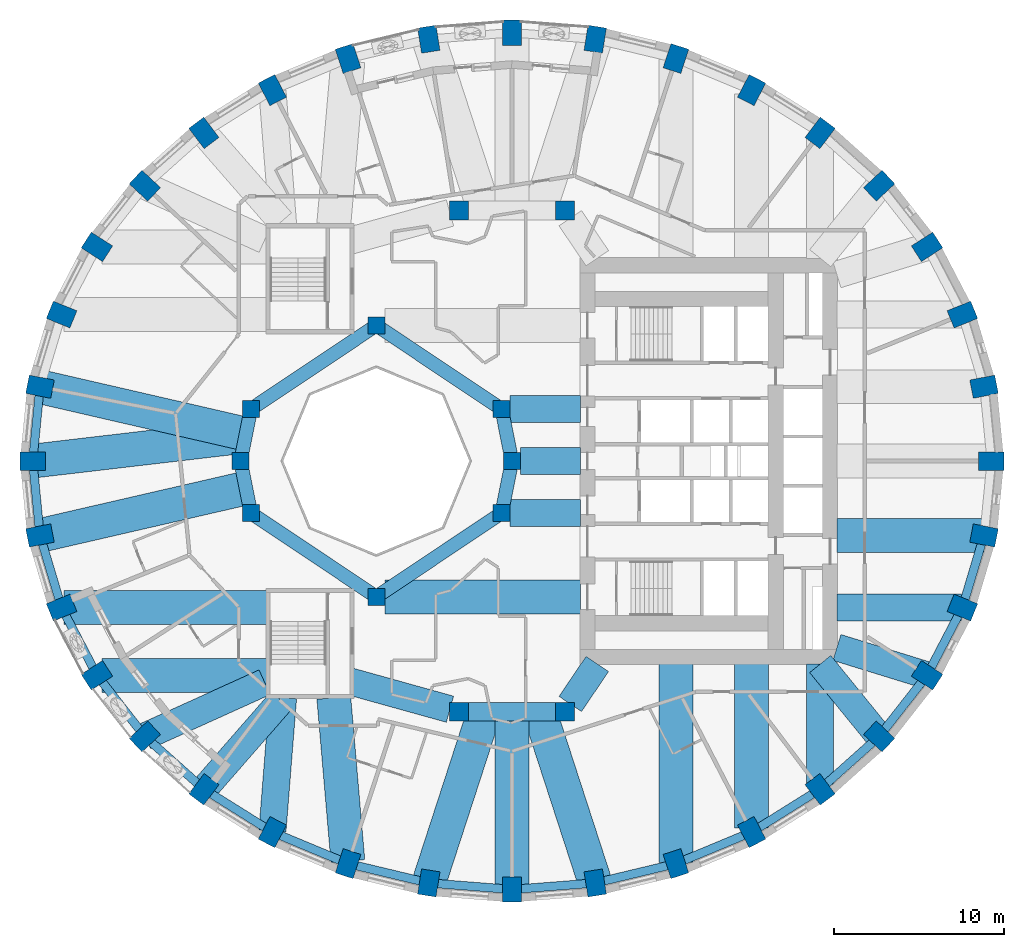
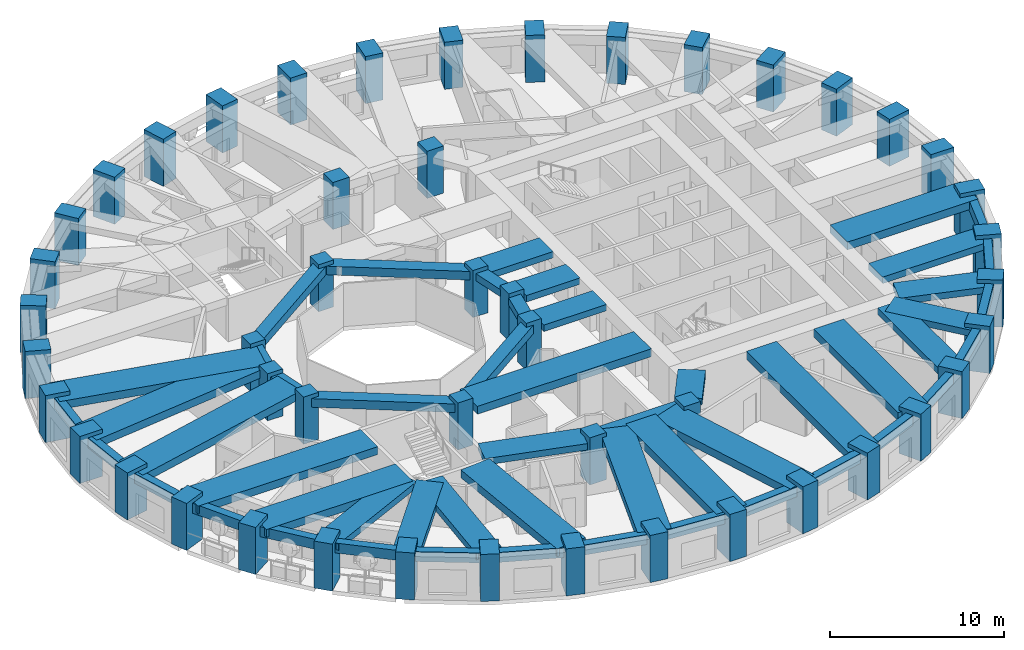
# One storey, part 1 of 13: 52 beams, 48 columns.
"""IFC4 building model written with IfcOpenShell, lengths in metres."""

from ifc_helpers import new_model, si_unit, direction, frame, origin, origin_2d, place, context, subcontext, project, spatial, rectangle, extrude, material, material_profile, profile_set, type_object, element, save


model = new_model("IFC4")

# Units and contexts
model_context = context("Model", 3, precision=1e-05, world=origin(), true_north=direction((0.0, 1.0)))
body_context = subcontext(model_context, "Body", "Model", "MODEL_VIEW")
ifc_project = project(units=[si_unit("LENGTHUNIT", "METRE"), si_unit("AREAUNIT", "SQUARE_METRE"), si_unit("VOLUMEUNIT", "CUBIC_METRE"), si_unit("PLANEANGLEUNIT", "RADIAN"), si_unit("MASSUNIT", "GRAM", prefix="KILO")], contexts=[model_context])

# Site, building, storey
site_placement = place(None, origin())
site = spatial("IfcSite", under=ifc_project, at=site_placement, CompositionType="ELEMENT")
building_placement = place(site_placement, origin())
building = spatial("IfcBuilding", under=site, at=building_placement, Name="Taillehof Tower", CompositionType="ELEMENT")
storey_placement = place(building_placement, frame((0.0, 0.0, 58.0)))
storey = spatial("IfcBuildingStorey", under=building, at=storey_placement, Name="L15", CompositionType="ELEMENT", Elevation=58.0)

# Columns
ifc_material_1 = material(Name="Concrete C50/60", Category="concrete")
ifc_material_profile_1 = material_profile(ifc_material_1, rectangle(XDim=1.0, YDim=1.0, at=origin_2d()), Name="RC 1000x1000")
ifc_profile_set_1 = profile_set([ifc_material_profile_1], Name="Concrete C50/60")
column_type_1 = type_object("IfcColumnType", Name="Atrium ring column C50/60 1000x1000", PredefinedType="COLUMN", material=ifc_profile_set_1)
for number, where, z_axis, x_axis, name in (
    (1, (0.0, 0.0, 0.0), (0.0, 0.0, 1.0), (1.0, 0.0, 0.0), "Column AC01"),
    (2, (-0.60888671875, 3.0615234375, 0.0), (0.0, 0.0, 1.0), (1.0, 0.0, 0.0), "Column AC02"),
    (3, (-8.0, 8.0, 0.0), (0.0, 0.0, 1.0), (1.0, 0.0, 0.0), "Column AC05"),
    (4, (-15.39111328125, 3.0615234375, 0.0), (0.0, 0.0, 1.0), (1.0, 0.0, 0.0), "Column AC08"),
    (5, (-16.0, 0.0, 0.0), (0.0, 0.0, 1.0), (1.0, 0.0, 0.0), "Column AC09"),
    (6, (-15.39111328125, -3.0615234375, 0.0), (0.0, 0.0, 1.0), (1.0, 0.0, 0.0), "Column AC10"),
    (7, (-8.0, -8.0, 0.0), (0.0, 0.0, 1.0), (1.0, 0.0, 0.0), "Column AC13"),
    (8, (-0.60888671875, -3.0615234375, 0.0), (0.0, 0.0, 1.0), (1.0, 0.0, 0.0), "Column AC16"),
):
    element("IfcColumn", number, at=place(storey_placement, frame(where, z_axis=z_axis, x_axis=x_axis)), inside=storey, type_object=column_type_1, Name=name, PredefinedType="COLUMN", context=body_context, shape_type="SweptSolid", body=[
        extrude(rectangle(XDim=1.0, YDim=1.0, at=origin_2d()), origin(), (0.0, 0.0, 1.0), 3.300048828125),
    ])
ifc_material_2 = material(Name="Concrete C50/60", Category="concrete")
ifc_material_profile_2 = material_profile(ifc_material_2, rectangle(XDim=1.10009765625, YDim=1.10009765625, at=origin_2d()), Name="RC 1100x1100")
ifc_profile_set_2 = profile_set([ifc_material_profile_2], Name="Concrete C50/60")
column_type_2 = type_object("IfcColumnType", Name="Mid-ring column C50/60 1100x1100", PredefinedType="COLUMN", material=ifc_profile_set_2)
column_1_placement = place(storey_placement, frame((3.125732421875, -14.772216796875, 0.0), z_axis=(0.0, 0.0, 1.0), x_axis=(1.0, 0.0, 0.0)))
element("IfcColumn", 9, at=column_1_placement, inside=storey, type_object=column_type_2, Name="Column MC15", PredefinedType="COLUMN", context=body_context, shape_type="SweptSolid", body=[
    extrude(rectangle(XDim=1.10009765625, YDim=1.10009765625, at=origin_2d()), origin(), (0.0, 0.0, 1.0), 3.300048828125),
])
ifc_material_3 = material(Name="Concrete C60/75", Category="concrete")
ifc_material_profile_3 = material_profile(ifc_material_3, rectangle(XDim=1.10009765625, YDim=1.10009765625, at=origin_2d()), Name="RC 1100x1100")
ifc_profile_set_3 = profile_set([ifc_material_profile_3], Name="Concrete C60/75")
column_type_3 = type_object("IfcColumnType", Name="Mid-ring column C60/75 1100x1100", PredefinedType="COLUMN", material=ifc_profile_set_3)
column_2_placement = place(storey_placement, frame((3.125732421875, 14.772216796875, 0.0), z_axis=(0.0, 0.0, 1.0), x_axis=(1.0, 0.0, 0.0)))
element("IfcColumn", 10, at=column_2_placement, inside=storey, type_object=column_type_3, Name="Column MC05", PredefinedType="COLUMN", context=body_context, shape_type="SweptSolid", body=[
    extrude(rectangle(XDim=1.10009765625, YDim=1.10009765625, at=origin_2d()), origin(), (0.0, 0.0, 1.0), 3.300048828125),
])
ifc_material_4 = material(Name="Concrete C70/85", Category="concrete")
ifc_material_profile_4 = material_profile(ifc_material_4, rectangle(XDim=1.10009765625, YDim=1.10009765625, at=origin_2d()), Name="RC 1100x1100")
ifc_profile_set_4 = profile_set([ifc_material_profile_4], Name="Concrete C70/85")
column_type_4 = type_object("IfcColumnType", Name="Mid-ring column C70/85 1100x1100", PredefinedType="COLUMN", material=ifc_profile_set_4)
for number, where, z_axis, x_axis, name in (
    (11, (-3.125732421875, 14.772216796875, 0.0), (0.0, 0.0, 1.0), (1.0, 0.0, 0.0), "Column MC06"),
    (12, (-3.125732421875, -14.772216796875, 0.0), (0.0, 0.0, 1.0), (1.0, 0.0, 0.0), "Column MC14"),
):
    element("IfcColumn", number, at=place(storey_placement, frame(where, z_axis=z_axis, x_axis=x_axis)), inside=storey, type_object=column_type_4, Name=name, PredefinedType="COLUMN", context=body_context, shape_type="SweptSolid", body=[
        extrude(rectangle(XDim=1.10009765625, YDim=1.10009765625, at=origin_2d()), origin(), (0.0, 0.0, 1.0), 3.300048828125),
    ])
ifc_material_5 = material(Name="Concrete C70/85", Category="concrete")
ifc_material_profile_5 = material_profile(ifc_material_5, rectangle(XDim=1.5, YDim=1.10009765625, at=origin_2d()), Name="RC 1500x1100")
ifc_profile_set_5 = profile_set([ifc_material_profile_5], Name="Concrete C70/85")
column_type_5 = type_object("IfcColumnType", Name="Ring column C70/85 1500x1100", PredefinedType="COLUMN", material=ifc_profile_set_5)
for number, where, z_axis, x_axis, name in (
    (13, (28.25, 0.0, 0.0), (0.0, 0.0, 1.0), (1.0, 0.0, 0.0), "Ring column RC01"),
    (14, (27.82080078125, 4.384521484375, 0.0), (0.0, 0.0, 1.0), (0.98120354895, 0.192975634545, 0.0), "Ring column RC02"),
    (15, (26.54638671875, 8.635986328125, 0.0), (0.0, 0.0, 1.0), (0.926558045297, 0.37615181602, 0.0), "Ring column RC03"),
    (16, (24.46533203125, 12.625, 0.0), (0.0, 0.0, 1.0), (0.840753565229, 0.541417992456, 0.0), "Ring column RC04"),
    (17, (21.640869140625, 16.23046875, 0.0), (0.0, 0.0, 1.0), (0.730113022917, 0.683326403535, 0.0), "Ring column RC05"),
    (18, (18.15869140625, 19.342529296875, 0.0), (0.0, 0.0, 1.0), (0.601173783055, 0.79911831575, 0.0), "Ring column RC06"),
    (19, (14.125, 21.8671875, 0.0), (0.0, 0.0, 1.0), (0.459691308511, 0.888078769524, 0.0), "Ring column RC07"),
    (20, (9.662109375, 23.727294921875, 0.0), (0.0, 0.0, 1.0), (0.310219183529, 0.950665060981, 0.0), "Ring column RC08"),
    (21, (4.905517578125, 24.866455078125, 0.0), (0.0, 0.0, 1.0), (0.15614709407, 0.987733812833, 0.0), "Ring column RC09"),
    (22, (0.0, 25.25, 0.0), (0.0, 0.0, 1.0), (0.0, 1.0, 0.0), "Ring column RC10"),
    (23, (-4.905517578125, 24.866455078125, 0.0), (0.0, 0.0, 1.0), (-0.15614709407, 0.987733812833, 0.0), "Ring column RC11"),
    (24, (-9.662109375, 23.727294921875, 0.0), (0.0, 0.0, 1.0), (-0.310219183529, 0.950665060981, 0.0), "Ring column RC12"),
    (25, (-14.125, 21.8671875, 0.0), (0.0, 0.0, 1.0), (-0.459691308511, 0.888078769524, 0.0), "Ring column RC13"),
    (26, (-18.15869140625, 19.342529296875, 0.0), (0.0, 0.0, 1.0), (-0.601173783055, 0.79911831575, 0.0), "Ring column RC14"),
    (27, (-21.640869140625, 16.23046875, 0.0), (0.0, 0.0, 1.0), (-0.730113022917, 0.683326403535, 0.0), "Ring column RC15"),
    (28, (-24.46533203125, 12.625, 0.0), (0.0, 0.0, 1.0), (-0.840753565229, 0.541417992456, 0.0), "Ring column RC16"),
    (29, (-26.54638671875, 8.635986328125, 0.0), (0.0, 0.0, 1.0), (-0.926558045297, 0.37615181602, 0.0), "Ring column RC17"),
    (30, (-27.82080078125, 4.384521484375, 0.0), (0.0, 0.0, 1.0), (-0.98120354895, 0.192975634545, 0.0), "Ring column RC18"),
    (31, (-28.25, 0.0, 0.0), (0.0, 0.0, 1.0), (-1.0, 0.0, 0.0), "Ring column RC19"),
    (32, (-27.82080078125, -4.384521484375, 0.0), (0.0, 0.0, 1.0), (-0.98120354895, -0.192975634545, 0.0), "Ring column RC20"),
    (33, (-26.54638671875, -8.635986328125, 0.0), (0.0, 0.0, 1.0), (-0.926558045297, -0.37615181602, 0.0), "Ring column RC21"),
    (34, (-24.46533203125, -12.625, 0.0), (0.0, 0.0, 1.0), (-0.840753565229, -0.541417992456, 0.0), "Ring column RC22"),
    (35, (-21.640869140625, -16.23046875, 0.0), (0.0, 0.0, 1.0), (-0.730113022917, -0.683326403535, 0.0), "Ring column RC23"),
    (36, (-18.15869140625, -19.342529296875, 0.0), (0.0, 0.0, 1.0), (-0.601173783055, -0.79911831575, 0.0), "Ring column RC24"),
    (37, (-14.125, -21.8671875, 0.0), (0.0, 0.0, 1.0), (-0.459691308511, -0.888078769524, 0.0), "Ring column RC25"),
    (38, (-9.662109375, -23.727294921875, 0.0), (0.0, 0.0, 1.0), (-0.310219183529, -0.950665060981, 0.0), "Ring column RC26"),
    (39, (-4.905517578125, -24.866455078125, 0.0), (0.0, 0.0, 1.0), (-0.15614709407, -0.987733812833, 0.0), "Ring column RC27"),
    (40, (0.0, -25.25, 0.0), (0.0, 0.0, 1.0), (0.0, -1.0, 0.0), "Ring column RC28"),
    (41, (4.905517578125, -24.866455078125, 0.0), (0.0, 0.0, 1.0), (0.15614709407, -0.987733812833, 0.0), "Ring column RC29"),
    (42, (9.662109375, -23.727294921875, 0.0), (0.0, 0.0, 1.0), (0.310219183529, -0.950665060981, 0.0), "Ring column RC30"),
    (43, (14.125, -21.8671875, 0.0), (0.0, 0.0, 1.0), (0.459691308511, -0.888078769524, 0.0), "Ring column RC31"),
    (44, (18.15869140625, -19.342529296875, 0.0), (0.0, 0.0, 1.0), (0.601173783055, -0.79911831575, 0.0), "Ring column RC32"),
    (45, (21.640869140625, -16.23046875, 0.0), (0.0, 0.0, 1.0), (0.730113022917, -0.683326403535, 0.0), "Ring column RC33"),
    (46, (24.46533203125, -12.625, 0.0), (0.0, 0.0, 1.0), (0.840753565229, -0.541417992456, 0.0), "Ring column RC34"),
    (47, (26.54638671875, -8.635986328125, 0.0), (0.0, 0.0, 1.0), (0.926558045297, -0.37615181602, 0.0), "Ring column RC35"),
    (48, (27.82080078125, -4.384521484375, 0.0), (0.0, 0.0, 1.0), (0.98120354895, -0.192975634545, 0.0), "Ring column RC36"),
):
    element("IfcColumn", number, at=place(storey_placement, frame(where, z_axis=z_axis, x_axis=x_axis)), inside=storey, type_object=column_type_5, Name=name, PredefinedType="COLUMN", context=body_context, shape_type="SweptSolid", body=[
        extrude(rectangle(XDim=1.5, YDim=1.10009765625, at=origin_2d()), origin(), (0.0, 0.0, 1.0), 3.300048828125),
    ])

# Beams
ifc_material_6 = material(Name="Concrete C50/60", Category="concrete")
ifc_material_profile_6 = material_profile(ifc_material_6, rectangle(XDim=0.800048828125, YDim=0.5, at=origin_2d()), Name="RC 800x500")
ifc_profile_set_6 = profile_set([ifc_material_profile_6], Name="Concrete C50/60")
beam_type_1 = type_object("IfcBeamType", Name="Atrium ring beam C50/60 800x500", PredefinedType="BEAM", material=ifc_profile_set_6)
for number, where, z_axis, x_axis, name in (
    (49, (0.0, 0.0, 2.77001953125), (-0.195063155143, 0.980790683839, 0.0), (-0.980790683839, -0.195063155143, 0.0), "Atrium ring beam AB01"),
    (50, (-15.39111328125, 3.0615234375, 2.77001953125), (-0.195063155143, -0.980790683839, 0.0), (0.980790683839, -0.195063155143, 0.0), "Atrium ring beam AB04"),
    (51, (-16.0, 0.0, 2.77001953125), (0.195063155143, -0.980790683839, 0.0), (0.980790683839, 0.195063155143, 0.0), "Atrium ring beam AB05"),
    (52, (-0.60888671875, -3.0615234375, 2.77001953125), (0.195063155143, 0.980790683839, 0.0), (-0.980790683839, 0.195063155143, 0.0), "Atrium ring beam AB08"),
):
    element("IfcBeam", number, at=place(storey_placement, frame(where, z_axis=z_axis, x_axis=x_axis)), inside=storey, type_object=beam_type_1, Name=name, PredefinedType="BEAM", context=body_context, shape_type="SweptSolid", body=[
        extrude(rectangle(XDim=0.800048828125, YDim=0.5, at=origin_2d()), origin(), (0.0, 0.0, 1.0), 3.12158203125),
    ])
ifc_material_7 = material(Name="Concrete C50/60", Category="concrete")
ifc_material_profile_7 = material_profile(ifc_material_7, rectangle(XDim=0.800048828125, YDim=0.60009765625, at=origin_2d()), Name="RC 800x600")
ifc_profile_set_7 = profile_set([ifc_material_profile_7], Name="Concrete C50/60")
beam_type_2 = type_object("IfcBeamType", Name="Atrium ring beam C50/60 800x600", PredefinedType="BEAM", material=ifc_profile_set_7)
for number, where, z_axis, x_axis, name in (
    (53, (-0.60888671875, 3.0615234375, 2.719970703125), (-0.831475195687, 0.555561876804, 0.0), (-0.555561876804, -0.831475195687, 0.0), "Atrium ring beam AB02"),
    (54, (-8.0, 8.0, 2.719970703125), (-0.831475195687, -0.555561876804, 0.0), (0.555561876804, -0.831475195687, 0.0), "Atrium ring beam AB03"),
    (55, (-15.39111328125, -3.0615234375, 2.719970703125), (0.831475195687, -0.555561876804, 0.0), (0.555561876804, 0.831475195687, 0.0), "Atrium ring beam AB06"),
    (56, (-8.0, -8.0, 2.719970703125), (0.831475195687, 0.555561876804, 0.0), (-0.555561876804, 0.831475195687, 0.0), "Atrium ring beam AB07"),
):
    element("IfcBeam", number, at=place(storey_placement, frame(where, z_axis=z_axis, x_axis=x_axis)), inside=storey, type_object=beam_type_2, Name=name, PredefinedType="BEAM", context=body_context, shape_type="SweptSolid", body=[
        extrude(rectangle(XDim=0.800048828125, YDim=0.60009765625, at=origin_2d()), origin(), (0.0, 0.0, 1.0), 8.88916015625),
    ])
ifc_material_8 = material(Name="Concrete C50/60", Category="concrete")
ifc_material_profile_8 = material_profile(ifc_material_8, rectangle(XDim=1.10009765625, YDim=0.60009765625, at=origin_2d()), Name="RC 1100x600")
ifc_profile_set_8 = profile_set([ifc_material_profile_8], Name="Concrete C50/60")
beam_type_3 = type_object("IfcBeamType", Name="Mid-ring beam C50/60 1100x600", PredefinedType="BEAM", material=ifc_profile_set_8)
beam_1_placement = place(storey_placement, frame((-3.125732421875, -14.772216796875, 2.719970703125), z_axis=(1.0, 0.0, 0.0), x_axis=(0.0, 1.0, 0.0)))
element("IfcBeam", 57, at=beam_1_placement, inside=storey, type_object=beam_type_3, Name="Mid-ring beam MB02", PredefinedType="BEAM", context=body_context, shape_type="SweptSolid", body=[
    extrude(rectangle(XDim=1.10009765625, YDim=0.60009765625, at=origin_2d()), origin(), (0.0, 0.0, 1.0), 6.25146484375),
])
ifc_material_9 = material(Name="Concrete C50/60", Category="concrete")
ifc_material_profile_9 = material_profile(ifc_material_9, rectangle(XDim=1.60009765625, YDim=0.449951171875, at=origin_2d()), Name="RC 1600x450")
ifc_profile_set_9 = profile_set([ifc_material_profile_9], Name="Concrete C50/60")
beam_type_4 = type_object("IfcBeamType", Name="Radial band beam C50/60 1600x450", PredefinedType="BEAM", material=ifc_profile_set_9)
beam_2_placement = place(storey_placement, frame((-21.632568359375, -16.226806640625, 2.794921875), z_axis=(0.911100590789, 0.412184077161, 0.0), x_axis=(-0.412184077161, 0.911100590789, 0.0)))
element("IfcBeam", 58, at=beam_2_placement, inside=storey, type_object=beam_type_4, Name="Radial band beam RB23", PredefinedType="BEAM", context=body_context, shape_type="SweptSolid", body=[
    extrude(rectangle(XDim=1.60009765625, YDim=0.449951171875, at=origin_2d()), origin(), (0.0, 0.0, 1.0), 7.740966796875),
])
beam_3_placement = place(storey_placement, frame((-18.15869140625, -19.342529296875, 2.794921875), z_axis=(0.65721824087, 0.753700327628, 0.0), x_axis=(-0.753700327628, 0.65721824087, 0.0)))
element("IfcBeam", 59, at=beam_3_placement, inside=storey, type_object=beam_type_4, Name="Radial band beam RB24", PredefinedType="BEAM", context=body_context, shape_type="SweptSolid", body=[
    extrude(rectangle(XDim=1.60009765625, YDim=0.449951171875, at=origin_2d()), origin(), (0.0, 0.0, 1.0), 6.9384765625),
])
beam_4_placement = place(storey_placement, frame((-14.119873046875, -21.802978515625, 2.794921875), z_axis=(0.079184740988, 0.996859958467, 0.0), x_axis=(-0.996859958467, 0.079184740988, 0.0)))
element("IfcBeam", 60, at=beam_4_placement, inside=storey, type_object=beam_type_4, Name="Radial band beam RB25", PredefinedType="BEAM", context=body_context, shape_type="SweptSolid", body=[
    extrude(rectangle(XDim=1.60009765625, YDim=0.449951171875, at=origin_2d()), origin(), (0.0, 0.0, 1.0), 7.87744140625),
])
beam_5_placement = place(storey_placement, frame((18.15869140625, -19.05517578125, 2.794921875), z_axis=(0.0, 1.0, 0.0), x_axis=(-1.0, 0.0, 0.0)))
element("IfcBeam", 61, at=beam_5_placement, inside=storey, type_object=beam_type_4, Name="Radial band beam RB32", PredefinedType="BEAM", context=body_context, shape_type="SweptSolid", body=[
    extrude(rectangle(XDim=1.60009765625, YDim=0.449951171875, at=origin_2d()), origin(), (0.0, 0.0, 1.0), 7.105224609375),
])
beam_6_placement = place(storey_placement, frame((21.640869140625, -16.23046875, 2.794921875), z_axis=(-0.630988373846, 0.775792286679, 0.0), x_axis=(-0.775792286679, -0.630988373846, 0.0)))
element("IfcBeam", 62, at=beam_6_placement, inside=storey, type_object=beam_type_4, Name="Radial band beam RB33", PredefinedType="BEAM", context=body_context, shape_type="SweptSolid", body=[
    extrude(rectangle(XDim=1.60009765625, YDim=0.449951171875, at=origin_2d()), origin(), (0.0, 0.0, 1.0), 5.503173828125),
])
beam_7_placement = place(storey_placement, frame((24.46533203125, -12.625, 2.794921875), z_axis=(-0.955535654338, 0.294875589511, 0.0), x_axis=(-0.294875589511, -0.955535654338, 0.0)))
element("IfcBeam", 63, at=beam_7_placement, inside=storey, type_object=beam_type_4, Name="Radial band beam RB34", PredefinedType="BEAM", context=body_context, shape_type="SweptSolid", body=[
    extrude(rectangle(XDim=1.60009765625, YDim=0.449951171875, at=origin_2d()), origin(), (0.0, 0.0, 1.0), 5.560546875),
])
beam_8_placement = place(storey_placement, frame((26.490478515625, -8.635986328125, 2.794921875), z_axis=(-1.0, 0.0, 0.0), x_axis=(0.0, -1.0, 0.0)))
element("IfcBeam", 64, at=beam_8_placement, inside=storey, type_object=beam_type_4, Name="Radial band beam RB35", PredefinedType="BEAM", context=body_context, shape_type="SweptSolid", body=[
    extrude(rectangle(XDim=1.60009765625, YDim=0.449951171875, at=origin_2d()), origin(), (0.0, 0.0, 1.0), 7.340576171875),
])
beam_9_placement = place(storey_placement, frame((0.5, 0.0, 2.794921875), z_axis=(1.0, 0.0, 0.0), x_axis=(0.0, 1.0, 0.0)))
element("IfcBeam", 65, at=beam_9_placement, inside=storey, type_object=beam_type_4, Name="Inner band beam IB101", PredefinedType="BEAM", context=body_context, shape_type="SweptSolid", body=[
    extrude(rectangle(XDim=1.60009765625, YDim=0.449951171875, at=origin_2d()), origin(), (0.0, 0.0, 1.0), 3.550048828125),
])
for number, where, z_axis, x_axis, name in (
    (66, (-0.10888671875, 3.0615234375, 2.794921875), (1.0, 0.0, 0.0), (0.0, 1.0, 0.0), "Inner band beam IB102"),
    (67, (-0.10888671875, -3.0615234375, 2.794921875), (1.0, 0.0, 0.0), (0.0, 1.0, 0.0), "Inner band beam IB116"),
):
    element("IfcBeam", number, at=place(storey_placement, frame(where, z_axis=z_axis, x_axis=x_axis)), inside=storey, type_object=beam_type_4, Name=name, PredefinedType="BEAM", context=body_context, shape_type="SweptSolid", body=[
        extrude(rectangle(XDim=1.60009765625, YDim=0.449951171875, at=origin_2d()), origin(), (0.0, 0.0, 1.0), 4.158935546875),
    ])
beam_10_placement = place(storey_placement, frame((-3.655517578125, -14.624755859375, 2.794921875), z_axis=(-0.963459369536, 0.267854518821, 0.0), x_axis=(-0.267854518821, -0.963459369536, 0.0)))
element("IfcBeam", 68, at=beam_10_placement, inside=storey, type_object=beam_type_4, Name="Inner band beam IB214", PredefinedType="BEAM", context=body_context, shape_type="SweptSolid", body=[
    extrude(rectangle(XDim=1.60009765625, YDim=0.449951171875, at=origin_2d()), origin(), (0.0, 0.0, 1.0), 6.096923828125),
])
beam_11_placement = place(storey_placement, frame((3.433837890625, -14.31640625, 2.794921875), z_axis=(0.560112043398, 0.828416862962, 0.0), x_axis=(-0.828416862962, 0.560112043398, 0.0)))
element("IfcBeam", 69, at=beam_11_placement, inside=storey, type_object=beam_type_4, Name="Inner band beam IB215", PredefinedType="BEAM", context=body_context, shape_type="SweptSolid", body=[
    extrude(rectangle(XDim=1.60009765625, YDim=0.449951171875, at=origin_2d()), origin(), (0.0, 0.0, 1.0), 2.84619140625),
])
ifc_material_10 = material(Name="Concrete C50/60", Category="concrete")
ifc_material_profile_10 = material_profile(ifc_material_10, rectangle(XDim=2.0, YDim=0.550048828125, at=origin_2d()), Name="RC 2000x550")
ifc_profile_set_10 = profile_set([ifc_material_profile_10], Name="Concrete C50/60")
beam_type_5 = type_object("IfcBeamType", Name="Radial band beam C50/60 2000x550", PredefinedType="BEAM", material=ifc_profile_set_10)
beam_12_placement = place(storey_placement, frame((-27.82080078125, 4.384521484375, 2.7451171875), z_axis=(0.974509005862, -0.2243483842, 0.0), x_axis=(0.2243483842, 0.974509005862, 0.0)))
element("IfcBeam", 70, at=beam_12_placement, inside=storey, type_object=beam_type_5, Name="Radial band beam RB18", PredefinedType="BEAM", context=body_context, shape_type="SweptSolid", body=[
    extrude(rectangle(XDim=2.0, YDim=0.550048828125, at=origin_2d()), origin(), (0.0, 0.0, 1.0), 12.45458984375),
])
beam_13_placement = place(storey_placement, frame((-28.25, 0.0, 2.7451171875), z_axis=(0.993191188018, 0.11649576835, 0.0), x_axis=(-0.11649576835, 0.993191188018, 0.0)))
element("IfcBeam", 71, at=beam_13_placement, inside=storey, type_object=beam_type_5, Name="Radial band beam RB19", PredefinedType="BEAM", context=body_context, shape_type="SweptSolid", body=[
    extrude(rectangle(XDim=2.0, YDim=0.550048828125, at=origin_2d()), origin(), (0.0, 0.0, 1.0), 12.628662109375),
])
beam_14_placement = place(storey_placement, frame((-27.82080078125, -4.384521484375, 2.7451171875), z_axis=(0.974509005862, 0.2243483842, 0.0), x_axis=(-0.2243483842, 0.974509005862, 0.0)))
element("IfcBeam", 72, at=beam_14_placement, inside=storey, type_object=beam_type_5, Name="Radial band beam RB20", PredefinedType="BEAM", context=body_context, shape_type="SweptSolid", body=[
    extrude(rectangle(XDim=2.0, YDim=0.550048828125, at=origin_2d()), origin(), (0.0, 0.0, 1.0), 12.45458984375),
])
beam_15_placement = place(storey_placement, frame((-26.408935546875, -8.635986328125, 2.7451171875), z_axis=(1.0, 0.0, 0.0), x_axis=(0.0, 1.0, 0.0)))
element("IfcBeam", 73, at=beam_15_placement, inside=storey, type_object=beam_type_5, Name="Radial band beam RB21", PredefinedType="BEAM", context=body_context, shape_type="SweptSolid", body=[
    extrude(rectangle(XDim=2.0, YDim=0.550048828125, at=origin_2d()), origin(), (0.0, 0.0, 1.0), 11.958984375),
])
beam_16_placement = place(storey_placement, frame((-24.172607421875, -12.625, 2.7451171875), z_axis=(1.0, 0.0, 0.0), x_axis=(0.0, 1.0, 0.0)))
element("IfcBeam", 74, at=beam_16_placement, inside=storey, type_object=beam_type_5, Name="Radial band beam RB22", PredefinedType="BEAM", context=body_context, shape_type="SweptSolid", body=[
    extrude(rectangle(XDim=2.0, YDim=0.550048828125, at=origin_2d()), origin(), (0.0, 0.0, 1.0), 9.72265625),
])
beam_17_placement = place(storey_placement, frame((-9.675048828125, -23.575927734375, 2.7451171875), z_axis=(-0.085841202752, 0.996308831593, 0.0), x_axis=(-0.996308831593, -0.085841202752, 0.0)))
element("IfcBeam", 75, at=beam_17_placement, inside=storey, type_object=beam_type_5, Name="Radial band beam RB26", PredefinedType="BEAM", context=body_context, shape_type="SweptSolid", body=[
    extrude(rectangle(XDim=2.0, YDim=0.550048828125, at=origin_2d()), origin(), (0.0, 0.0, 1.0), 9.661376953125),
])
beam_18_placement = place(storey_placement, frame((-4.905517578125, -24.866455078125, 2.7451171875), z_axis=(0.309014294595, 0.951057393503, 0.0), x_axis=(-0.951057393503, 0.309014294595, 0.0)))
element("IfcBeam", 76, at=beam_18_placement, inside=storey, type_object=beam_type_5, Name="Radial band beam RB27", PredefinedType="BEAM", context=body_context, shape_type="SweptSolid", body=[
    extrude(rectangle(XDim=2.0, YDim=0.550048828125, at=origin_2d()), origin(), (0.0, 0.0, 1.0), 10.61376953125),
])
beam_19_placement = place(storey_placement, frame((0.0, -25.25, 2.7451171875), z_axis=(0.0, 1.0, 0.0), x_axis=(-1.0, 0.0, 0.0)))
element("IfcBeam", 77, at=beam_19_placement, inside=storey, type_object=beam_type_5, Name="Radial band beam RB28", PredefinedType="BEAM", context=body_context, shape_type="SweptSolid", body=[
    extrude(rectangle(XDim=2.0, YDim=0.550048828125, at=origin_2d()), origin(), (0.0, 0.0, 1.0), 10.477783203125),
])
beam_20_placement = place(storey_placement, frame((4.905517578125, -24.866455078125, 2.7451171875), z_axis=(-0.309014294595, 0.951057393503, 0.0), x_axis=(-0.951057393503, -0.309014294595, 0.0)))
element("IfcBeam", 78, at=beam_20_placement, inside=storey, type_object=beam_type_5, Name="Radial band beam RB29", PredefinedType="BEAM", context=body_context, shape_type="SweptSolid", body=[
    extrude(rectangle(XDim=2.0, YDim=0.550048828125, at=origin_2d()), origin(), (0.0, 0.0, 1.0), 10.61376953125),
])
beam_21_placement = place(storey_placement, frame((9.662109375, -23.664794921875, 2.7451171875), z_axis=(0.0, 1.0, 0.0), x_axis=(-1.0, 0.0, 0.0)))
element("IfcBeam", 79, at=beam_21_placement, inside=storey, type_object=beam_type_5, Name="Radial band beam RB30", PredefinedType="BEAM", context=body_context, shape_type="SweptSolid", body=[
    extrude(rectangle(XDim=2.0, YDim=0.550048828125, at=origin_2d()), origin(), (0.0, 0.0, 1.0), 11.71484375),
])
beam_22_placement = place(storey_placement, frame((14.125, -21.63232421875, 2.7451171875), z_axis=(0.0, 1.0, 0.0), x_axis=(-1.0, 0.0, 0.0)))
element("IfcBeam", 80, at=beam_22_placement, inside=storey, type_object=beam_type_5, Name="Radial band beam RB31", PredefinedType="BEAM", context=body_context, shape_type="SweptSolid", body=[
    extrude(rectangle(XDim=2.0, YDim=0.550048828125, at=origin_2d()), origin(), (0.0, 0.0, 1.0), 9.682373046875),
])
beam_23_placement = place(storey_placement, frame((27.82080078125, -4.384521484375, 2.7451171875), z_axis=(-1.0, 0.0, 0.0), x_axis=(0.0, -1.0, 0.0)))
element("IfcBeam", 81, at=beam_23_placement, inside=storey, type_object=beam_type_5, Name="Radial band beam RB36", PredefinedType="BEAM", context=body_context, shape_type="SweptSolid", body=[
    extrude(rectangle(XDim=2.0, YDim=0.550048828125, at=origin_2d()), origin(), (0.0, 0.0, 1.0), 8.6708984375),
])
beam_24_placement = place(storey_placement, frame((-7.5, -8.0, 2.7451171875), z_axis=(1.0, 0.0, 0.0), x_axis=(0.0, 1.0, 0.0)))
element("IfcBeam", 82, at=beam_24_placement, inside=storey, type_object=beam_type_5, Name="Inner band beam IB113", PredefinedType="BEAM", context=body_context, shape_type="SweptSolid", body=[
    extrude(rectangle(XDim=2.0, YDim=0.550048828125, at=origin_2d()), origin(), (0.0, 0.0, 1.0), 11.550048828125),
])
ifc_material_11 = material(Name="Concrete C50/60", Category="concrete")
ifc_material_profile_11 = material_profile(ifc_material_11, rectangle(XDim=0.5, YDim=0.699951171875, at=origin_2d()), Name="RC 500x700")
ifc_profile_set_11 = profile_set([ifc_material_profile_11], Name="Concrete C50/60")
beam_type_6 = type_object("IfcBeamType", Name="Spandrel beam C50/60 500x700", PredefinedType="SPANDREL", material=ifc_profile_set_11)
for number, where, z_axis, x_axis, name in (
    (83, (-27.82080078125, 4.384521484375, 2.669921875), (-0.097423973567, -0.99524297002, 0.0), (0.99524297002, -0.097423973567, 0.0), "Spandrel beam SB18"),
    (84, (-28.25, 0.0, 2.669921875), (0.097423973567, -0.99524297002, 0.0), (0.99524297002, 0.097423973567, 0.0), "Spandrel beam SB19"),
):
    element("IfcBeam", number, at=place(storey_placement, frame(where, z_axis=z_axis, x_axis=x_axis)), inside=storey, type_object=beam_type_6, Name=name, PredefinedType="SPANDREL", context=body_context, shape_type="SweptSolid", body=[
        extrude(rectangle(XDim=0.5, YDim=0.699951171875, at=origin_2d()), origin(), (0.0, 0.0, 1.0), 4.405517578125),
    ])
beam_25_placement = place(storey_placement, frame((-27.82080078125, -4.384521484375, 2.669921875), z_axis=(0.287135925407, -0.957889847707, 0.0), x_axis=(0.957889847707, 0.287135925407, 0.0)))
element("IfcBeam", 85, at=beam_25_placement, inside=storey, type_object=beam_type_6, Name="Spandrel beam SB20", PredefinedType="SPANDREL", context=body_context, shape_type="SweptSolid", body=[
    extrude(rectangle(XDim=0.5, YDim=0.699951171875, at=origin_2d()), origin(), (0.0, 0.0, 1.0), 4.4384765625),
])
beam_26_placement = place(storey_placement, frame((-26.54638671875, -8.635986328125, 2.669921875), z_axis=(0.462536335232, -0.886600326297, 0.0), x_axis=(0.886600326297, 0.462536335232, 0.0)))
element("IfcBeam", 86, at=beam_26_placement, inside=storey, type_object=beam_type_6, Name="Spandrel beam SB21", PredefinedType="SPANDREL", context=body_context, shape_type="SweptSolid", body=[
    extrude(rectangle(XDim=0.5, YDim=0.699951171875, at=origin_2d()), origin(), (0.0, 0.0, 1.0), 4.499267578125),
])
beam_27_placement = place(storey_placement, frame((-24.46533203125, -12.625, 2.669921875), z_axis=(0.616686200373, -0.787209076593, 0.0), x_axis=(0.787209076593, 0.616686200373, 0.0)))
element("IfcBeam", 87, at=beam_27_placement, inside=storey, type_object=beam_type_6, Name="Spandrel beam SB22", PredefinedType="SPANDREL", context=body_context, shape_type="SweptSolid", body=[
    extrude(rectangle(XDim=0.5, YDim=0.699951171875, at=origin_2d()), origin(), (0.0, 0.0, 1.0), 4.580078125),
])
beam_28_placement = place(storey_placement, frame((-21.640869140625, -16.23046875, 2.669921875), z_axis=(0.745621283614, -0.666369943366, 0.0), x_axis=(0.666369943366, 0.745621283614, 0.0)))
element("IfcBeam", 88, at=beam_28_placement, inside=storey, type_object=beam_type_6, Name="Spandrel beam SB23", PredefinedType="SPANDREL", context=body_context, shape_type="SweptSolid", body=[
    extrude(rectangle(XDim=0.5, YDim=0.699951171875, at=origin_2d()), origin(), (0.0, 0.0, 1.0), 4.670166015625),
])
beam_29_placement = place(storey_placement, frame((-18.15869140625, -19.342529296875, 2.669921875), z_axis=(0.847658018883, -0.530543007703, 0.0), x_axis=(0.530543007703, 0.847658018883, 0.0)))
element("IfcBeam", 89, at=beam_29_placement, inside=storey, type_object=beam_type_6, Name="Spandrel beam SB24", PredefinedType="SPANDREL", context=body_context, shape_type="SweptSolid", body=[
    extrude(rectangle(XDim=0.5, YDim=0.699951171875, at=origin_2d()), origin(), (0.0, 0.0, 1.0), 4.758544921875),
])
beam_30_placement = place(storey_placement, frame((-14.125, -21.8671875, 2.669921875), z_axis=(0.923035088053, -0.384715773297, 0.0), x_axis=(0.384715773297, 0.923035088053, 0.0)))
element("IfcBeam", 90, at=beam_30_placement, inside=storey, type_object=beam_type_6, Name="Spandrel beam SB25", PredefinedType="SPANDREL", context=body_context, shape_type="SweptSolid", body=[
    extrude(rectangle(XDim=0.5, YDim=0.699951171875, at=origin_2d()), origin(), (0.0, 0.0, 1.0), 4.8349609375),
])
beam_31_placement = place(storey_placement, frame((-9.662109375, -23.727294921875, 2.669921875), z_axis=(0.9724995553, -0.232904733616, 0.0), x_axis=(0.232904733616, 0.9724995553, 0.0)))
element("IfcBeam", 91, at=beam_31_placement, inside=storey, type_object=beam_type_6, Name="Spandrel beam SB26", PredefinedType="SPANDREL", context=body_context, shape_type="SweptSolid", body=[
    extrude(rectangle(XDim=0.5, YDim=0.699951171875, at=origin_2d()), origin(), (0.0, 0.0, 1.0), 4.89111328125),
])
for number, where, z_axis, x_axis, name in (
    (92, (-4.905517578125, -24.866455078125, 2.669921875), (0.996957383661, -0.077948541767, 0.0), (0.077948541767, 0.996957383661, 0.0), "Spandrel beam SB27"),
    (93, (0.0, -25.25, 2.669921875), (0.996957383661, 0.077948541767, 0.0), (-0.077948541767, 0.996957383661, 0.0), "Spandrel beam SB28"),
):
    element("IfcBeam", number, at=place(storey_placement, frame(where, z_axis=z_axis, x_axis=x_axis)), inside=storey, type_object=beam_type_6, Name=name, PredefinedType="SPANDREL", context=body_context, shape_type="SweptSolid", body=[
        extrude(rectangle(XDim=0.5, YDim=0.699951171875, at=origin_2d()), origin(), (0.0, 0.0, 1.0), 4.92041015625),
    ])
beam_32_placement = place(storey_placement, frame((4.905517578125, -24.866455078125, 2.669921875), z_axis=(0.9724995553, 0.232904733616, 0.0), x_axis=(-0.232904733616, 0.9724995553, 0.0)))
element("IfcBeam", 94, at=beam_32_placement, inside=storey, type_object=beam_type_6, Name="Spandrel beam SB29", PredefinedType="SPANDREL", context=body_context, shape_type="SweptSolid", body=[
    extrude(rectangle(XDim=0.5, YDim=0.699951171875, at=origin_2d()), origin(), (0.0, 0.0, 1.0), 4.89111328125),
])
beam_33_placement = place(storey_placement, frame((9.662109375, -23.727294921875, 2.669921875), z_axis=(0.923035088053, 0.384715773297, 0.0), x_axis=(-0.384715773297, 0.923035088053, 0.0)))
element("IfcBeam", 95, at=beam_33_placement, inside=storey, type_object=beam_type_6, Name="Spandrel beam SB30", PredefinedType="SPANDREL", context=body_context, shape_type="SweptSolid", body=[
    extrude(rectangle(XDim=0.5, YDim=0.699951171875, at=origin_2d()), origin(), (0.0, 0.0, 1.0), 4.8349609375),
])
beam_34_placement = place(storey_placement, frame((14.125, -21.8671875, 2.669921875), z_axis=(0.847658018883, 0.530543007703, 0.0), x_axis=(-0.530543007703, 0.847658018883, 0.0)))
element("IfcBeam", 96, at=beam_34_placement, inside=storey, type_object=beam_type_6, Name="Spandrel beam SB31", PredefinedType="SPANDREL", context=body_context, shape_type="SweptSolid", body=[
    extrude(rectangle(XDim=0.5, YDim=0.699951171875, at=origin_2d()), origin(), (0.0, 0.0, 1.0), 4.758544921875),
])
beam_35_placement = place(storey_placement, frame((18.15869140625, -19.342529296875, 2.669921875), z_axis=(0.745621283614, 0.666369943366, 0.0), x_axis=(-0.666369943366, 0.745621283614, 0.0)))
element("IfcBeam", 97, at=beam_35_placement, inside=storey, type_object=beam_type_6, Name="Spandrel beam SB32", PredefinedType="SPANDREL", context=body_context, shape_type="SweptSolid", body=[
    extrude(rectangle(XDim=0.5, YDim=0.699951171875, at=origin_2d()), origin(), (0.0, 0.0, 1.0), 4.670166015625),
])
beam_36_placement = place(storey_placement, frame((21.640869140625, -16.23046875, 2.669921875), z_axis=(0.616686200373, 0.787209076593, 0.0), x_axis=(-0.787209076593, 0.616686200373, 0.0)))
element("IfcBeam", 98, at=beam_36_placement, inside=storey, type_object=beam_type_6, Name="Spandrel beam SB33", PredefinedType="SPANDREL", context=body_context, shape_type="SweptSolid", body=[
    extrude(rectangle(XDim=0.5, YDim=0.699951171875, at=origin_2d()), origin(), (0.0, 0.0, 1.0), 4.580078125),
])
beam_37_placement = place(storey_placement, frame((24.46533203125, -12.625, 2.669921875), z_axis=(0.462536335232, 0.886600326297, 0.0), x_axis=(-0.886600326297, 0.462536335232, 0.0)))
element("IfcBeam", 99, at=beam_37_placement, inside=storey, type_object=beam_type_6, Name="Spandrel beam SB34", PredefinedType="SPANDREL", context=body_context, shape_type="SweptSolid", body=[
    extrude(rectangle(XDim=0.5, YDim=0.699951171875, at=origin_2d()), origin(), (0.0, 0.0, 1.0), 4.499267578125),
])
beam_38_placement = place(storey_placement, frame((26.54638671875, -8.635986328125, 2.669921875), z_axis=(0.287135925407, 0.957889847707, 0.0), x_axis=(-0.957889847707, 0.287135925407, 0.0)))
element("IfcBeam", 100, at=beam_38_placement, inside=storey, type_object=beam_type_6, Name="Spandrel beam SB35", PredefinedType="SPANDREL", context=body_context, shape_type="SweptSolid", body=[
    extrude(rectangle(XDim=0.5, YDim=0.699951171875, at=origin_2d()), origin(), (0.0, 0.0, 1.0), 4.4384765625),
])

save(model, "model.ifc")
